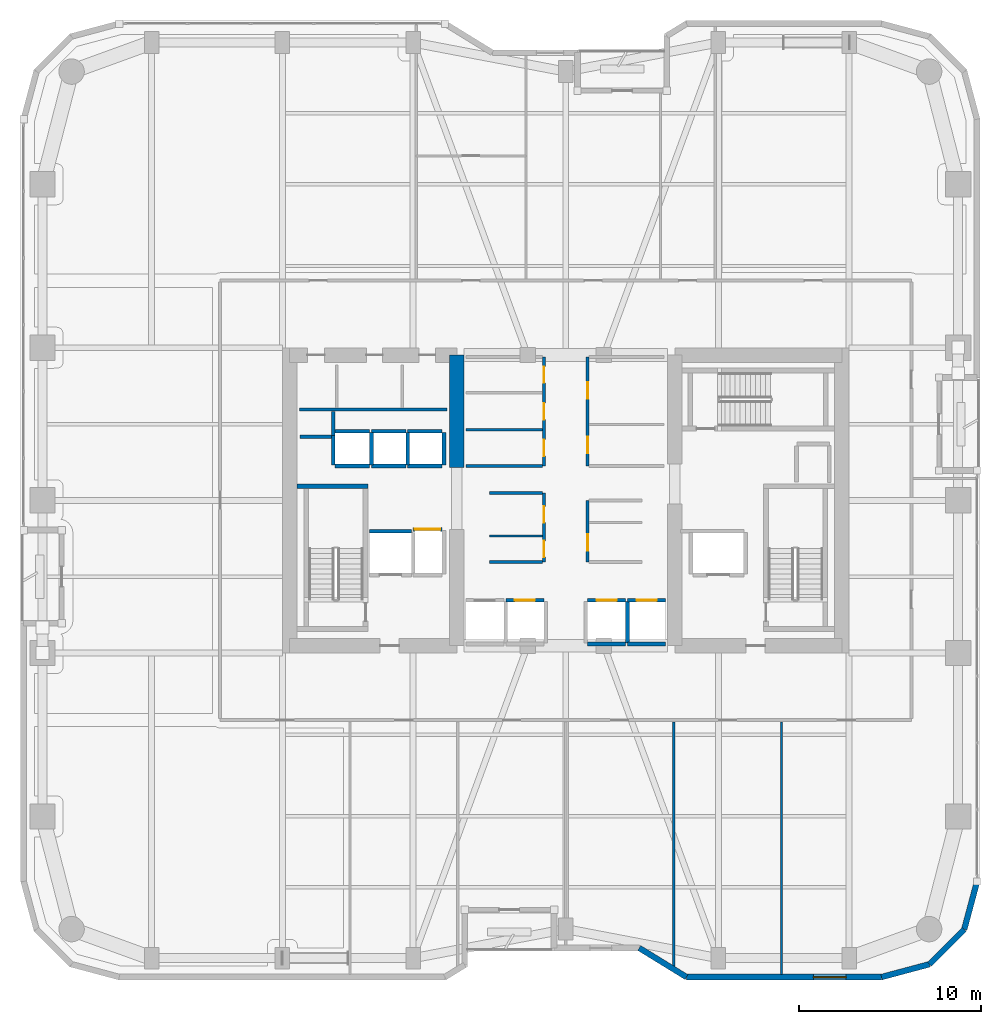
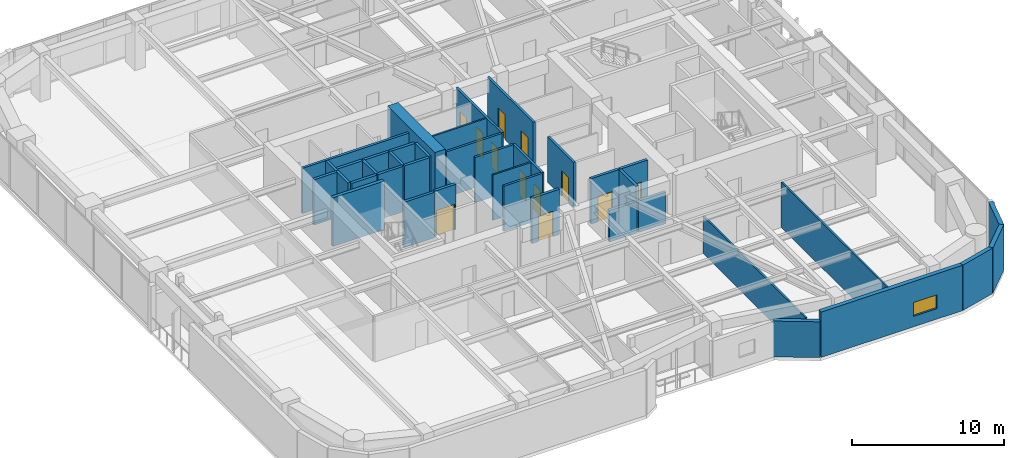
# One storey, part 19 of 24: 39 walls, 12 doors, 1 window, 13 openings.
"""IFC4 building model written with IfcOpenShell, lengths in metres."""

from ifc_helpers import new_model, si_unit, direction, frame, frame_2d, origin, place, context, subcontext, project, spatial, rectangle, extrude, material, layer, layer_set, type_object, element, fill, save


model = new_model("IFC4")

# Units and contexts
model_context = context("Model", 3, precision=1e-05, world=origin(), true_north=direction((0.0, 1.0)))
body_context = subcontext(model_context, "Body", "Model", "MODEL_VIEW")
ifc_project = project(units=[si_unit("LENGTHUNIT", "METRE"), si_unit("AREAUNIT", "SQUARE_METRE"), si_unit("VOLUMEUNIT", "CUBIC_METRE"), si_unit("PLANEANGLEUNIT", "RADIAN"), si_unit("MASSUNIT", "GRAM", prefix="KILO")], contexts=[model_context])

# Site, building, storey
site_placement = place(None, origin())
site = spatial("IfcSite", under=ifc_project, at=site_placement, CompositionType="ELEMENT")
building_placement = place(site_placement, origin())
building = spatial("IfcBuilding", under=site, at=building_placement, Name="Kiyonajd Concourse Tower", CompositionType="ELEMENT")
storey_placement = place(building_placement, frame((0.0, 0.0, 105.300048828125)))
storey = spatial("IfcBuildingStorey", under=building, at=storey_placement, Name="L27", CompositionType="ELEMENT", Elevation=105.300048828125)

# Walls
ifc_material_1 = material(Name="Concrete C70/85", Category="concrete")
ifc_layer_1 = layer(ifc_material_1, 0.800048828125)
ifc_layer_set_1 = layer_set([ifc_layer_1], Name="Concrete C70/85")
wall_type_1 = type_object("IfcWallType", Name="WL-CORE-800", PredefinedType="SHEAR", material=ifc_layer_set_1)
wall_1_placement = place(storey_placement, frame((42.0, 37.800048828125, 0.0), z_axis=(0.0, 0.0, 1.0), x_axis=(0.0, 1.0, 0.0)))
element("IfcWall", 1, at=wall_1_placement, inside=storey, type_object=wall_type_1, Name="L27 West Core Inner North Shear Wall", PredefinedType="SHEAR", context=body_context, shape_type="SweptSolid", body=[
    extrude(rectangle(XDim=6.199951171875, YDim=0.800048828125, at=frame_2d((3.10009765625, 0.0))), origin(), (0.0, 0.0, 1.0), 3.89990234375),
])
ifc_material_2 = material(Name="Precast concrete C50/60", Category="concrete")
ifc_layer_2 = layer(ifc_material_2, 0.320068359375)
ifc_layer_set_2 = layer_set([ifc_layer_2], Name="Precast concrete C50/60")
wall_type_2 = type_object("IfcWallType", Name="WL-EXT-320", PredefinedType="SOLIDWALL", material=ifc_layer_set_2)
wall_2_placement = place(storey_placement, frame((70.639892578125, 15.02099609375, 0.0), z_axis=(0.0, 0.0, 1.0), x_axis=(-0.258613949072, -0.965980758269, 0.0)))
element("IfcWall", 2, at=wall_2_placement, inside=storey, type_object=wall_type_2, Name="L27 Exterior Concrete Frame Wall 25", PredefinedType="SOLIDWALL", context=body_context, shape_type="SweptSolid", body=[
    extrude(rectangle(XDim=2.731201171875, YDim=0.320068359375, at=frame_2d((1.36572265625, 0.0))), origin(), (0.0, 0.0, 1.0), 3.639892578125),
])
wall_3_placement = place(storey_placement, frame((69.93359375, 12.3828125, 0.0), z_axis=(0.0, 0.0, 1.0), x_axis=(-0.707151821269, -0.707061738235, 0.0)))
element("IfcWall", 3, at=wall_3_placement, inside=storey, type_object=wall_type_2, Name="L27 Exterior Concrete Frame Wall 26", PredefinedType="SOLIDWALL", context=body_context, shape_type="SweptSolid", body=[
    extrude(rectangle(XDim=2.710205078125, YDim=0.320068359375, at=frame_2d((1.35498046875, 0.0))), origin(), (0.0, 0.0, 1.0), 3.639892578125),
])
wall_4_placement = place(storey_placement, frame((68.01708984375, 10.466552734375, 0.0), z_axis=(0.0, 0.0, 1.0), x_axis=(-0.965958423373, -0.25869736047, 0.0)))
element("IfcWall", 4, at=wall_4_placement, inside=storey, type_object=wall_type_2, Name="L27 Exterior Concrete Frame Wall 27", PredefinedType="SOLIDWALL", context=body_context, shape_type="SweptSolid", body=[
    extrude(rectangle(XDim=2.731201171875, YDim=0.320068359375, at=frame_2d((1.36572265625, 0.0))), origin(), (0.0, 0.0, 1.0), 3.639892578125),
])

# Wall, opening, window
wall_5_placement = place(storey_placement, frame((65.37890625, 9.760009765625, 0.0), z_axis=(0.0, 0.0, 1.0), x_axis=(-1.0, 0.0, 0.0)))
wall_5 = element("IfcWall", 5, at=wall_5_placement, inside=storey, type_object=wall_type_2, Name="L27 Exterior Concrete Frame Wall 28", PredefinedType="SOLIDWALL", context=body_context, shape_type="SweptSolid", body=[
    extrude(rectangle(XDim=10.733642578125, YDim=0.320068359375, at=frame_2d((5.36669921875, 0.0))), origin(), (0.0, 0.0, 1.0), 3.639892578125),
])
opening_1_placement = place(wall_5_placement, frame((1.944091796875, 0.0, 0.85009765625)))
opening_1 = element("IfcOpeningElement", 6, at=opening_1_placement, cuts=wall_5, Name="Opening WN1", PredefinedType="OPENING", context=body_context, shape_type="SweptSolid", body=[
    extrude(rectangle(XDim=1.800048828125, YDim=1.10009765625, at=frame_2d((0.89990234375, 0.550048828125))), frame((0.0, 0.169921875, 0.0), z_axis=(0.0, -1.0, 0.0), x_axis=(1.0, 0.0, 0.0)), (0.0, 0.0, 1.0), 0.340087890625),
])
ifc_material_3 = material(Name="Double Low-E Insulated Glass", Category="glass")
window_type = type_object("IfcWindowType", Name="WN-VIS-1800x1100", PartitioningType="SINGLE_PANEL", PredefinedType="WINDOW", material=ifc_material_3)
window_placement = place(opening_1_placement, origin())
window = element("IfcWindow", 7, at=window_placement, inside=storey, type_object=window_type, Name="L27 Modular Facade Vision Window 28", OverallHeight=1.10009765625, OverallWidth=1.800048828125, PartitioningType="SINGLE_PANEL", PredefinedType="WINDOW", context=body_context, shape_type="SweptSolid", body=[
    extrude(rectangle(XDim=1.800048828125, YDim=1.10009765625, at=frame_2d((0.89990234375, 0.550048828125))), frame((0.0, 0.030029296875, 0.0), z_axis=(0.0, -1.0, 0.0), x_axis=(1.0, 0.0, 0.0)), (0.0, 0.0, 1.0), 0.06005859375),
])
fill(opening_1, window)

# Walls
wall_6_placement = place(storey_placement, frame((54.645263671875, 9.760009765625, 0.0), z_axis=(0.0, 0.0, 1.0), x_axis=(-0.851630857047, 0.524142044989, 0.0)))
element("IfcWall", 8, at=wall_6_placement, inside=storey, type_object=wall_type_2, Name="L27 Exterior Concrete Frame Wall 29", PredefinedType="SOLIDWALL", context=body_context, shape_type="SweptSolid", body=[
    extrude(rectangle(XDim=3.052734375, YDim=0.320068359375, at=frame_2d((1.5263671875, 0.0))), origin(), (0.0, 0.0, 1.0), 2.875),
])
ifc_material_4 = material(Name="Gypsum Board on Cold-Formed Steel Stud", Category="steel")
ifc_layer_3 = layer(ifc_material_4, 0.125)
ifc_layer_set_3 = layer_set([ifc_layer_3], Name="Gypsum Board on Cold-Formed Steel Stud")
wall_type_3 = type_object("IfcWallType", Name="WL-PART-125", PredefinedType="PARTITIONING", material=ifc_layer_set_3)
wall_7_placement = place(storey_placement, frame((43.800048828125, 34.0439453125, 0.0), z_axis=(0.0, 0.0, 1.0), x_axis=(1.0, 0.0, 0.0)))
element("IfcWall", 9, at=wall_7_placement, inside=storey, type_object=wall_type_3, Name="L27 Interior Partition Wall", PredefinedType="PARTITIONING", context=body_context, shape_type="SweptSolid", body=[
    extrude(rectangle(XDim=2.912841796875, YDim=0.125, at=frame_2d((1.45654296875, 0.0))), origin(), (0.0, 0.0, 1.0), 3.639892578125),
])
wall_8_placement = place(storey_placement, frame((42.5, 39.8798828125, 0.0), z_axis=(0.0, 0.0, 1.0), x_axis=(1.0, 0.0, 0.0)))
element("IfcWall", 10, at=wall_8_placement, inside=storey, type_object=wall_type_3, Name="L27 Interior Partition Wall", PredefinedType="PARTITIONING", context=body_context, shape_type="SweptSolid", body=[
    extrude(rectangle(XDim=4.212890625, YDim=0.125, at=frame_2d((2.1064453125, 0.0))), origin(), (0.0, 0.0, 1.0), 3.639892578125),
])
wall_9_placement = place(storey_placement, frame((53.93994140625, 10.34912109375, 0.0), z_axis=(0.0, 0.0, 1.0), x_axis=(0.0, 1.0, 0.0)))
element("IfcWall", 11, at=wall_9_placement, inside=storey, type_object=wall_type_3, Name="L27 Interior Partition Wall", PredefinedType="PARTITIONING", context=body_context, shape_type="SweptSolid", body=[
    extrude(rectangle(XDim=13.4638671875, YDim=0.125, at=frame_2d((6.73193359375, 0.0))), origin(), (0.0, 0.0, 1.0), 3.0029296875),
])
wall_10_placement = place(storey_placement, frame((59.8798828125, 9.9150390625, 0.0), z_axis=(0.0, 0.0, 1.0), x_axis=(0.0, 1.0, 0.0)))
element("IfcWall", 12, at=wall_10_placement, inside=storey, type_object=wall_type_3, Name="L27 Interior Partition Wall", PredefinedType="PARTITIONING", context=body_context, shape_type="SweptSolid", body=[
    extrude(rectangle(XDim=13.89794921875, YDim=0.125, at=frame_2d((6.948974609375, 0.0))), origin(), (0.0, 0.0, 1.0), 3.639892578125),
])
ifc_layer_4 = layer(ifc_material_4, 0.18994140625)
ifc_layer_set_4 = layer_set([ifc_layer_4], Name="Gypsum Board on Cold-Formed Steel Stud")
wall_type_4 = type_object("IfcWallType", Name="WL-PLMB-190", PredefinedType="PLUMBINGWALL", material=ifc_layer_set_4)
wall_11_placement = place(storey_placement, frame((33.35009765625, 41.0, 0.0), z_axis=(0.0, 0.0, 1.0), x_axis=(1.0, 0.0, 0.0)))
element("IfcWall", 13, at=wall_11_placement, inside=storey, type_object=wall_type_4, Name="L27 Interior Partition Wall", PredefinedType="PLUMBINGWALL", context=body_context, shape_type="SweptSolid", body=[
    extrude(rectangle(XDim=8.099853515625, YDim=0.18994140625, at=frame_2d((4.0498046875, 0.0))), origin(), (0.0, 0.0, 1.0), 3.639892578125),
])
ifc_layer_5 = layer(ifc_material_4, 0.2099609375)
ifc_layer_set_5 = layer_set([ifc_layer_5], Name="Gypsum Board on Cold-Formed Steel Stud")
wall_type_5 = type_object("IfcWallType", Name="WL-SHAFT-210", PredefinedType="PARTITIONING", material=ifc_layer_set_5)
wall_12_placement = place(storey_placement, frame((33.360107421875, 39.5, 0.0), z_axis=(0.0, 0.0, 1.0), x_axis=(1.0, 0.0, 0.0)))
element("IfcWall", 14, at=wall_12_placement, inside=storey, type_object=wall_type_5, Name="L27 Shaft Enclosure Wall", PredefinedType="PARTITIONING", context=body_context, shape_type="SweptSolid", body=[
    extrude(rectangle(XDim=1.85986328125, YDim=0.2099609375, at=frame_2d((0.929931640625, 0.0))), origin(), (0.0, 0.0, 1.0), 3.639892578125),
])
wall_13_placement = place(storey_placement, frame((35.199951171875, 39.580078125, 0.0), z_axis=(0.0, 0.0, 1.0), x_axis=(0.0, 1.0, 0.0)))
element("IfcWall", 15, at=wall_13_placement, inside=storey, type_object=wall_type_5, Name="L27 Shaft Enclosure Wall", PredefinedType="PARTITIONING", context=body_context, shape_type="SweptSolid", body=[
    extrude(rectangle(XDim=1.31982421875, YDim=0.2099609375, at=frame_2d((0.659912109375, 0.0))), origin(), (0.0, 0.0, 1.0), 3.639892578125),
])
wall_14_placement = place(storey_placement, frame((37.199951171875, 34.300048828125, 0.0), z_axis=(0.0, 0.0, 1.0), x_axis=(1.0, 0.0, 0.0)))
element("IfcWall", 16, at=wall_14_placement, inside=storey, type_object=wall_type_5, Name="L27 Shaft Enclosure Wall", PredefinedType="PARTITIONING", context=body_context, shape_type="SweptSolid", body=[
    extrude(rectangle(XDim=2.300048828125, YDim=0.2099609375, at=frame_2d((1.14990234375, 0.0))), origin(), (0.0, 0.0, 1.0), 3.639892578125),
])

# Wall, opening, door
wall_15_placement = place(storey_placement, frame((39.60009765625, 34.39990234375, 0.0), z_axis=(0.0, 0.0, 1.0), x_axis=(1.0, 0.0, 0.0)))
wall_15 = element("IfcWall", 17, at=wall_15_placement, inside=storey, type_object=wall_type_5, Name="L27 Shaft Enclosure Wall", PredefinedType="PARTITIONING", context=body_context, shape_type="SweptSolid", body=[
    extrude(rectangle(XDim=1.599853515625, YDim=0.2099609375, at=frame_2d((0.7998046875, 0.0))), origin(), (0.0, 0.0, 1.0), 3.639892578125),
])
opening_2_placement = place(wall_15_placement, frame((0.10009765625, 0.0, 0.0)))
opening_2 = element("IfcOpeningElement", 18, at=opening_2_placement, cuts=wall_15, Name="Opening LD3", PredefinedType="OPENING", context=body_context, shape_type="SweptSolid", body=[
    extrude(rectangle(XDim=1.39990234375, YDim=2.06005859375, at=frame_2d((0.699951171875, 1.030029296875))), frame((0.0, 0.114990234375, 0.0), z_axis=(0.0, -1.0, 0.0), x_axis=(1.0, 0.0, 0.0)), (0.0, 0.0, 1.0), 0.22998046875),
])
ifc_material_5 = material(Name="Brushed Stainless Steel Cab Assembly", Category="steel")
door_type_1 = type_object("IfcDoorType", Name="DR-LD-1400", OperationType="DOUBLE_DOOR_SLIDING", PredefinedType="DOOR", material=ifc_material_5)
door_1_placement = place(opening_2_placement, origin())
door_1 = element("IfcDoor", 19, at=door_1_placement, inside=storey, type_object=door_type_1, Name="L27 Lift SVL1 Sliding Landing Door", OperationType="DOUBLE_DOOR_SLIDING", OverallHeight=2.06005859375, OverallWidth=1.39990234375, PredefinedType="DOOR", context=body_context, shape_type="SweptSolid", body=[
    extrude(rectangle(XDim=1.39990234375, YDim=2.06005859375, at=frame_2d((0.699951171875, 1.030029296875))), frame((0.0, 0.02490234375, 0.0), z_axis=(0.0, -1.0, 0.0), x_axis=(1.0, 0.0, 0.0)), (0.0, 0.0, 1.0), 0.050048828125),
])
fill(opening_2, door_1)

wall_16_placement = place(storey_placement, frame((44.699951171875, 30.5, 0.0), z_axis=(0.0, 0.0, 1.0), x_axis=(1.0, 0.0, 0.0)))
wall_16 = element("IfcWall", 20, at=wall_16_placement, inside=storey, type_object=wall_type_5, Name="L27 Shaft Enclosure Wall", PredefinedType="PARTITIONING", context=body_context, shape_type="SweptSolid", body=[
    extrude(rectangle(XDim=2.10009765625, YDim=0.2099609375, at=frame_2d((1.050048828125, 0.0))), origin(), (0.0, 0.0, 1.0), 3.639892578125),
])
opening_3_placement = place(wall_16_placement, frame((0.5, 0.0, 0.0)))
opening_3 = element("IfcOpeningElement", 21, at=opening_3_placement, cuts=wall_16, Name="Opening LD1", PredefinedType="OPENING", context=body_context, shape_type="SweptSolid", body=[
    extrude(rectangle(XDim=1.10009765625, YDim=2.0400390625, at=frame_2d((0.550048828125, 1.02001953125))), frame((0.0, 0.114990234375, 0.0), z_axis=(0.0, -1.0, 0.0), x_axis=(1.0, 0.0, 0.0)), (0.0, 0.0, 1.0), 0.22998046875),
])
door_type_2 = type_object("IfcDoorType", Name="DR-LD-1100", OperationType="DOUBLE_DOOR_SLIDING", PredefinedType="DOOR", material=ifc_material_5)
door_2_placement = place(opening_3_placement, origin())
door_2 = element("IfcDoor", 22, at=door_2_placement, inside=storey, type_object=door_type_2, Name="L27 Lift PL-L2 Sliding Landing Door", OperationType="DOUBLE_DOOR_SLIDING", OverallHeight=2.0400390625, OverallWidth=1.10009765625, PredefinedType="DOOR", context=body_context, shape_type="SweptSolid", body=[
    extrude(rectangle(XDim=1.10009765625, YDim=2.0400390625, at=frame_2d((0.550048828125, 1.02001953125))), frame((0.0, 0.02490234375, 0.0), z_axis=(0.0, -1.0, 0.0), x_axis=(1.0, 0.0, 0.0)), (0.0, 0.0, 1.0), 0.050048828125),
])
fill(opening_3, door_2)

wall_17_placement = place(storey_placement, frame((49.199951171875, 30.5, 0.0), z_axis=(0.0, 0.0, 1.0), x_axis=(1.0, 0.0, 0.0)))
wall_17 = element("IfcWall", 23, at=wall_17_placement, inside=storey, type_object=wall_type_5, Name="L27 Shaft Enclosure Wall", PredefinedType="PARTITIONING", context=body_context, shape_type="SweptSolid", body=[
    extrude(rectangle(XDim=2.10009765625, YDim=0.2099609375, at=frame_2d((1.050048828125, 0.0))), origin(), (0.0, 0.0, 1.0), 3.639892578125),
])
opening_4_placement = place(wall_17_placement, frame((0.5, 0.0, 0.0)))
opening_4 = element("IfcOpeningElement", 24, at=opening_4_placement, cuts=wall_17, Name="Opening LD1", PredefinedType="OPENING", context=body_context, shape_type="SweptSolid", body=[
    extrude(rectangle(XDim=1.10009765625, YDim=2.0400390625, at=frame_2d((0.550048828125, 1.02001953125))), frame((0.0, 0.114990234375, 0.0), z_axis=(0.0, -1.0, 0.0), x_axis=(1.0, 0.0, 0.0)), (0.0, 0.0, 1.0), 0.22998046875),
])
door_3_placement = place(opening_4_placement, origin())
door_3 = element("IfcDoor", 25, at=door_3_placement, inside=storey, type_object=door_type_2, Name="L27 Lift PL-L3 Sliding Landing Door", OperationType="DOUBLE_DOOR_SLIDING", OverallHeight=2.0400390625, OverallWidth=1.10009765625, PredefinedType="DOOR", context=body_context, shape_type="SweptSolid", body=[
    extrude(rectangle(XDim=1.10009765625, YDim=2.0400390625, at=frame_2d((0.550048828125, 1.02001953125))), frame((0.0, 0.02490234375, 0.0), z_axis=(0.0, -1.0, 0.0), x_axis=(1.0, 0.0, 0.0)), (0.0, 0.0, 1.0), 0.050048828125),
])
fill(opening_4, door_3)

# Walls
wall_18_placement = place(storey_placement, frame((49.199951171875, 28.10009765625, 0.0), z_axis=(0.0, 0.0, 1.0), x_axis=(1.0, 0.0, 0.0)))
element("IfcWall", 26, at=wall_18_placement, inside=storey, type_object=wall_type_5, Name="L27 Shaft Enclosure Wall", PredefinedType="PARTITIONING", context=body_context, shape_type="SweptSolid", body=[
    extrude(rectangle(XDim=2.10009765625, YDim=0.2099609375, at=frame_2d((1.050048828125, 0.0))), origin(), (0.0, 0.0, 1.0), 2.52490234375),
])
wall_19_placement = place(storey_placement, frame((51.39990234375, 28.159912109375, 0.0), z_axis=(0.0, 0.0, 1.0), x_axis=(0.0, 1.0, 0.0)))
element("IfcWall", 27, at=wall_19_placement, inside=storey, type_object=wall_type_5, Name="L27 Shaft Enclosure Wall", PredefinedType="PARTITIONING", context=body_context, shape_type="SweptSolid", body=[
    extrude(rectangle(XDim=2.280029296875, YDim=0.2099609375, at=frame_2d((1.14013671875, 0.0))), origin(), (0.0, 0.0, 1.0), 3.639892578125),
])

# Wall, opening, door
wall_20_placement = place(storey_placement, frame((51.39990234375, 30.5, 0.0), z_axis=(0.0, 0.0, 1.0), x_axis=(1.0, 0.0, 0.0)))
wall_20 = element("IfcWall", 28, at=wall_20_placement, inside=storey, type_object=wall_type_5, Name="L27 Shaft Enclosure Wall", PredefinedType="PARTITIONING", context=body_context, shape_type="SweptSolid", body=[
    extrude(rectangle(XDim=2.10009765625, YDim=0.2099609375, at=frame_2d((1.050048828125, 0.0))), origin(), (0.0, 0.0, 1.0), 3.639892578125),
])
opening_5_placement = place(wall_20_placement, frame((0.5, 0.0, 0.0)))
opening_5 = element("IfcOpeningElement", 29, at=opening_5_placement, cuts=wall_20, Name="Opening LD1", PredefinedType="OPENING", context=body_context, shape_type="SweptSolid", body=[
    extrude(rectangle(XDim=1.10009765625, YDim=2.0400390625, at=frame_2d((0.550048828125, 1.02001953125))), frame((0.0, 0.114990234375, 0.0), z_axis=(0.0, -1.0, 0.0), x_axis=(1.0, 0.0, 0.0)), (0.0, 0.0, 1.0), 0.22998046875),
])
door_4_placement = place(opening_5_placement, origin())
door_4 = element("IfcDoor", 30, at=door_4_placement, inside=storey, type_object=door_type_2, Name="L27 Lift PL-L4 Sliding Landing Door", OperationType="DOUBLE_DOOR_SLIDING", OverallHeight=2.0400390625, OverallWidth=1.10009765625, PredefinedType="DOOR", context=body_context, shape_type="SweptSolid", body=[
    extrude(rectangle(XDim=1.10009765625, YDim=2.0400390625, at=frame_2d((0.550048828125, 1.02001953125))), frame((0.0, 0.02490234375, 0.0), z_axis=(0.0, -1.0, 0.0), x_axis=(1.0, 0.0, 0.0)), (0.0, 0.0, 1.0), 0.050048828125),
])
fill(opening_5, door_4)

# Walls
wall_21_placement = place(storey_placement, frame((51.39990234375, 28.10009765625, 0.0), z_axis=(0.0, 0.0, 1.0), x_axis=(1.0, 0.0, 0.0)))
element("IfcWall", 31, at=wall_21_placement, inside=storey, type_object=wall_type_5, Name="L27 Shaft Enclosure Wall", PredefinedType="PARTITIONING", context=body_context, shape_type="SweptSolid", body=[
    extrude(rectangle(XDim=2.10009765625, YDim=0.2099609375, at=frame_2d((1.050048828125, 0.0))), origin(), (0.0, 0.0, 1.0), 2.52490234375),
])
for number, where, z_axis, x_axis, name in (
    (32, (35.300048828125, 37.89990234375, 0.0), (0.0, 0.0, 1.0), (1.0, 0.0, 0.0), "L27 Shaft Enclosure Wall"),
    (33, (35.300048828125, 39.800048828125, 0.0), (0.0, 0.0, 1.0), (1.0, 0.0, 0.0), "L27 Shaft Enclosure Wall"),
):
    element("IfcWall", number, at=place(storey_placement, frame(where, z_axis=z_axis, x_axis=x_axis)), inside=storey, type_object=wall_type_5, Name=name, PredefinedType="PARTITIONING", context=body_context, shape_type="SweptSolid", body=[
        extrude(rectangle(XDim=1.89990234375, YDim=0.2099609375, at=frame_2d((0.949951171875, 0.0))), origin(), (0.0, 0.0, 1.0), 3.639892578125),
    ])
wall_22_placement = place(storey_placement, frame((35.199951171875, 37.9599609375, 0.0), z_axis=(0.0, 0.0, 1.0), x_axis=(0.0, 1.0, 0.0)))
element("IfcWall", 34, at=wall_22_placement, inside=storey, type_object=wall_type_5, Name="L27 Shaft Enclosure Wall", PredefinedType="PARTITIONING", context=body_context, shape_type="SweptSolid", body=[
    extrude(rectangle(XDim=1.6201171875, YDim=0.2099609375, at=frame_2d((0.81005859375, 0.0))), origin(), (0.0, 0.0, 1.0), 3.639892578125),
])
wall_23_placement = place(storey_placement, frame((37.300048828125, 37.9599609375, 0.0), z_axis=(0.0, 0.0, 1.0), x_axis=(0.0, 1.0, 0.0)))
element("IfcWall", 35, at=wall_23_placement, inside=storey, type_object=wall_type_5, Name="L27 Shaft Enclosure Wall", PredefinedType="PARTITIONING", context=body_context, shape_type="SweptSolid", body=[
    extrude(rectangle(XDim=1.780029296875, YDim=0.2099609375, at=frame_2d((0.89013671875, 0.0))), origin(), (0.0, 0.0, 1.0), 3.639892578125),
])
for number, where, z_axis, x_axis, name in (
    (36, (37.300048828125, 37.89990234375, 0.0), (0.0, 0.0, 1.0), (1.0, 0.0, 0.0), "L27 Shaft Enclosure Wall"),
    (37, (37.300048828125, 39.800048828125, 0.0), (0.0, 0.0, 1.0), (1.0, 0.0, 0.0), "L27 Shaft Enclosure Wall"),
):
    element("IfcWall", number, at=place(storey_placement, frame(where, z_axis=z_axis, x_axis=x_axis)), inside=storey, type_object=wall_type_5, Name=name, PredefinedType="PARTITIONING", context=body_context, shape_type="SweptSolid", body=[
        extrude(rectangle(XDim=1.89990234375, YDim=0.2099609375, at=frame_2d((0.949951171875, 0.0))), origin(), (0.0, 0.0, 1.0), 3.639892578125),
    ])
wall_24_placement = place(storey_placement, frame((39.300048828125, 37.9599609375, 0.0), z_axis=(0.0, 0.0, 1.0), x_axis=(0.0, 1.0, 0.0)))
element("IfcWall", 38, at=wall_24_placement, inside=storey, type_object=wall_type_5, Name="L27 Shaft Enclosure Wall", PredefinedType="PARTITIONING", context=body_context, shape_type="SweptSolid", body=[
    extrude(rectangle(XDim=1.780029296875, YDim=0.2099609375, at=frame_2d((0.89013671875, 0.0))), origin(), (0.0, 0.0, 1.0), 3.639892578125),
])
for number, where, z_axis, x_axis, name in (
    (39, (39.300048828125, 37.89990234375, 0.0), (0.0, 0.0, 1.0), (1.0, 0.0, 0.0), "L27 Shaft Enclosure Wall"),
    (40, (39.300048828125, 39.800048828125, 0.0), (0.0, 0.0, 1.0), (1.0, 0.0, 0.0), "L27 Shaft Enclosure Wall"),
):
    element("IfcWall", number, at=place(storey_placement, frame(where, z_axis=z_axis, x_axis=x_axis)), inside=storey, type_object=wall_type_5, Name=name, PredefinedType="PARTITIONING", context=body_context, shape_type="SweptSolid", body=[
        extrude(rectangle(XDim=1.89990234375, YDim=0.2099609375, at=frame_2d((0.949951171875, 0.0))), origin(), (0.0, 0.0, 1.0), 3.639892578125),
    ])
wall_25_placement = place(storey_placement, frame((41.300048828125, 37.9599609375, 0.0), z_axis=(0.0, 0.0, 1.0), x_axis=(0.0, 1.0, 0.0)))
element("IfcWall", 41, at=wall_25_placement, inside=storey, type_object=wall_type_5, Name="L27 Shaft Enclosure Wall", PredefinedType="PARTITIONING", context=body_context, shape_type="SweptSolid", body=[
    extrude(rectangle(XDim=1.780029296875, YDim=0.2099609375, at=frame_2d((0.89013671875, 0.0))), origin(), (0.0, 0.0, 1.0), 3.639892578125),
])

# Wall, openings, doors
ifc_layer_6 = layer(ifc_material_4, 0.169921875)
ifc_layer_set_6 = layer_set([ifc_layer_6], Name="Gypsum Board on Cold-Formed Steel Stud")
wall_type_6 = type_object("IfcWallType", Name="WL-SMK-170", PredefinedType="PARTITIONING", material=ifc_layer_set_6)
wall_26_placement = place(storey_placement, frame((46.800048828125, 32.60009765625, 0.0), z_axis=(0.0, 0.0, 1.0), x_axis=(0.0, 1.0, 0.0)))
wall_26 = element("IfcWall", 42, at=wall_26_placement, inside=storey, type_object=wall_type_6, Name="L27 Interior Partition Wall", PredefinedType="PARTITIONING", context=body_context, shape_type="SweptSolid", body=[
    extrude(rectangle(XDim=3.7998046875, YDim=0.169921875, at=frame_2d((1.89990234375, 0.0))), origin(), (0.0, 0.0, 1.0), 3.639892578125),
])
opening_6_placement = place(wall_26_placement, frame((0.27197265625, 0.0, 0.0)))
opening_6 = element("IfcOpeningElement", 43, at=opening_6_placement, cuts=wall_26, Name="Opening DI2", PredefinedType="OPENING", context=body_context, shape_type="SweptSolid", body=[
    extrude(rectangle(XDim=0.89990234375, YDim=2.02001953125, at=frame_2d((0.449951171875, 1.010009765625))), frame((0.0, 0.094970703125, 0.0), z_axis=(0.0, -1.0, 0.0), x_axis=(1.0, 0.0, 0.0)), (0.0, 0.0, 1.0), 0.18994140625),
])
opening_7_placement = place(wall_26_placement, frame((2.172119140625, 0.0, 0.0)))
opening_7 = element("IfcOpeningElement", 44, at=opening_7_placement, cuts=wall_26, Name="Opening DI2", PredefinedType="OPENING", context=body_context, shape_type="SweptSolid", body=[
    extrude(rectangle(XDim=0.89990234375, YDim=2.02001953125, at=frame_2d((0.449951171875, 1.010009765625))), frame((0.0, 0.094970703125, 0.0), z_axis=(0.0, -1.0, 0.0), x_axis=(1.0, 0.0, 0.0)), (0.0, 0.0, 1.0), 0.18994140625),
])
ifc_material_6 = material(Name="Natural Oak Acoustic Timber Veneer", Category="wood")
door_type_3 = type_object("IfcDoorType", Name="DR-INT-900", OperationType="NOTDEFINED", PredefinedType="DOOR", material=ifc_material_6)
door_5_placement = place(opening_6_placement, origin())
door_5 = element("IfcDoor", 45, at=door_5_placement, inside=storey, type_object=door_type_3, Name="L27 Interior Door", OperationType="SINGLE_SWING_RIGHT", OverallHeight=2.02001953125, OverallWidth=0.89990234375, PredefinedType="DOOR", context=body_context, shape_type="SweptSolid", body=[
    extrude(rectangle(XDim=0.89990234375, YDim=2.02001953125, at=frame_2d((0.449951171875, 1.010009765625))), frame((0.0, 0.02490234375, 0.0), z_axis=(0.0, -1.0, 0.0), x_axis=(1.0, 0.0, 0.0)), (0.0, 0.0, 1.0), 0.050048828125),
])
fill(opening_6, door_5)
door_6_placement = place(opening_7_placement, origin())
door_6 = element("IfcDoor", 46, at=door_6_placement, inside=storey, type_object=door_type_3, Name="L27 Interior Door", OperationType="SINGLE_SWING_LEFT", OverallHeight=2.02001953125, OverallWidth=0.89990234375, PredefinedType="DOOR", context=body_context, shape_type="SweptSolid", body=[
    extrude(rectangle(XDim=0.89990234375, YDim=2.02001953125, at=frame_2d((0.449951171875, 1.010009765625))), frame((0.0, 0.02490234375, 0.0), z_axis=(0.0, -1.0, 0.0), x_axis=(1.0, 0.0, 0.0)), (0.0, 0.0, 1.0), 0.050048828125),
])
fill(opening_7, door_6)

# Walls
for number, where, z_axis, x_axis, name in (
    (47, (43.800048828125, 32.60009765625, 0.0), (0.0, 0.0, 1.0), (1.0, 0.0, 0.0), "L27 Interior Partition Wall"),
    (48, (43.800048828125, 36.39990234375, 0.0), (0.0, 0.0, 1.0), (1.0, 0.0, 0.0), "L27 Interior Partition Wall"),
):
    element("IfcWall", number, at=place(storey_placement, frame(where, z_axis=z_axis, x_axis=x_axis)), inside=storey, type_object=wall_type_6, Name=name, PredefinedType="PARTITIONING", context=body_context, shape_type="SweptSolid", body=[
        extrude(rectangle(XDim=2.912841796875, YDim=0.169921875, at=frame_2d((1.45654296875, 0.0))), origin(), (0.0, 0.0, 1.0), 3.639892578125),
    ])

# Wall, opening, door
wall_27_placement = place(storey_placement, frame((49.199951171875, 32.60009765625, 0.0), z_axis=(0.0, 0.0, 1.0), x_axis=(0.0, 1.0, 0.0)))
wall_27 = element("IfcWall", 49, at=wall_27_placement, inside=storey, type_object=wall_type_6, Name="L27 Interior Partition Wall", PredefinedType="PARTITIONING", context=body_context, shape_type="SweptSolid", body=[
    extrude(rectangle(XDim=3.39990234375, YDim=0.169921875, at=frame_2d((1.699951171875, 0.0))), origin(), (0.0, 0.0, 1.0), 3.639892578125),
])
opening_8_placement = place(wall_27_placement, frame((0.637939453125, 0.0, 0.0)))
opening_8 = element("IfcOpeningElement", 50, at=opening_8_placement, cuts=wall_27, Name="Opening DF4", PredefinedType="OPENING", context=body_context, shape_type="SweptSolid", body=[
    extrude(rectangle(XDim=0.89990234375, YDim=2.02001953125, at=frame_2d((0.449951171875, 1.010009765625))), frame((0.0, 0.094970703125, 0.0), z_axis=(0.0, -1.0, 0.0), x_axis=(1.0, 0.0, 0.0)), (0.0, 0.0, 1.0), 0.18994140625),
])
door_type_4 = type_object("IfcDoorType", Name="DR-FD60-900", OperationType="NOTDEFINED", PredefinedType="DOOR", material=ifc_material_5)
door_7_placement = place(opening_8_placement, origin())
door_7 = element("IfcDoor", 51, at=door_7_placement, inside=storey, type_object=door_type_4, Name="L27 Interior Door", OperationType="SINGLE_SWING_RIGHT", OverallHeight=2.02001953125, OverallWidth=0.89990234375, PredefinedType="DOOR", context=body_context, shape_type="SweptSolid", body=[
    extrude(rectangle(XDim=0.89990234375, YDim=2.02001953125, at=frame_2d((0.449951171875, 1.010009765625))), frame((0.0, 0.02490234375, 0.0), z_axis=(0.0, -1.0, 0.0), x_axis=(1.0, 0.0, 0.0)), (0.0, 0.0, 1.0), 0.050048828125),
])
fill(opening_8, door_7)

# Wall, openings, doors
wall_28_placement = place(storey_placement, frame((46.800048828125, 37.89990234375, 0.0), z_axis=(0.0, 0.0, 1.0), x_axis=(0.0, 1.0, 0.0)))
wall_28 = element("IfcWall", 52, at=wall_28_placement, inside=storey, type_object=wall_type_6, Name="L27 Interior Partition Wall", PredefinedType="PARTITIONING", context=body_context, shape_type="SweptSolid", body=[
    extrude(rectangle(XDim=6.0, YDim=0.169921875, at=frame_2d((3.0, 0.0))), origin(), (0.0, 0.0, 1.0), 3.639892578125),
])
opening_9_placement = place(wall_28_placement, frame((0.5400390625, 0.0, 0.0)))
opening_9 = element("IfcOpeningElement", 53, at=opening_9_placement, cuts=wall_28, Name="Opening DI2", PredefinedType="OPENING", context=body_context, shape_type="SweptSolid", body=[
    extrude(rectangle(XDim=0.89990234375, YDim=2.02001953125, at=frame_2d((0.449951171875, 1.010009765625))), frame((0.0, 0.094970703125, 0.0), z_axis=(0.0, -1.0, 0.0), x_axis=(1.0, 0.0, 0.0)), (0.0, 0.0, 1.0), 0.18994140625),
])
opening_10_placement = place(wall_28_placement, frame((2.550048828125, 0.0, 0.0)))
opening_10 = element("IfcOpeningElement", 54, at=opening_10_placement, cuts=wall_28, Name="Opening DI2", PredefinedType="OPENING", context=body_context, shape_type="SweptSolid", body=[
    extrude(rectangle(XDim=0.89990234375, YDim=2.02001953125, at=frame_2d((0.449951171875, 1.010009765625))), frame((0.0, 0.094970703125, 0.0), z_axis=(0.0, -1.0, 0.0), x_axis=(1.0, 0.0, 0.0)), (0.0, 0.0, 1.0), 0.18994140625),
])
opening_11_placement = place(wall_28_placement, frame((4.56005859375, 0.0, 0.0)))
opening_11 = element("IfcOpeningElement", 55, at=opening_11_placement, cuts=wall_28, Name="Opening DI2", PredefinedType="OPENING", context=body_context, shape_type="SweptSolid", body=[
    extrude(rectangle(XDim=0.89990234375, YDim=2.02001953125, at=frame_2d((0.449951171875, 1.010009765625))), frame((0.0, 0.094970703125, 0.0), z_axis=(0.0, -1.0, 0.0), x_axis=(1.0, 0.0, 0.0)), (0.0, 0.0, 1.0), 0.18994140625),
])
door_8_placement = place(opening_9_placement, origin())
door_8 = element("IfcDoor", 56, at=door_8_placement, inside=storey, type_object=door_type_3, Name="L27 Interior Door", OperationType="SINGLE_SWING_LEFT", OverallHeight=2.02001953125, OverallWidth=0.89990234375, PredefinedType="DOOR", context=body_context, shape_type="SweptSolid", body=[
    extrude(rectangle(XDim=0.89990234375, YDim=2.02001953125, at=frame_2d((0.449951171875, 1.010009765625))), frame((0.0, 0.02490234375, 0.0), z_axis=(0.0, -1.0, 0.0), x_axis=(1.0, 0.0, 0.0)), (0.0, 0.0, 1.0), 0.050048828125),
])
fill(opening_9, door_8)
door_9_placement = place(opening_10_placement, origin())
door_9 = element("IfcDoor", 57, at=door_9_placement, inside=storey, type_object=door_type_3, Name="L27 Interior Door", OperationType="SINGLE_SWING_RIGHT", OverallHeight=2.02001953125, OverallWidth=0.89990234375, PredefinedType="DOOR", context=body_context, shape_type="SweptSolid", body=[
    extrude(rectangle(XDim=0.89990234375, YDim=2.02001953125, at=frame_2d((0.449951171875, 1.010009765625))), frame((0.0, 0.02490234375, 0.0), z_axis=(0.0, -1.0, 0.0), x_axis=(1.0, 0.0, 0.0)), (0.0, 0.0, 1.0), 0.050048828125),
])
fill(opening_10, door_9)
door_10_placement = place(opening_11_placement, origin())
door_10 = element("IfcDoor", 58, at=door_10_placement, inside=storey, type_object=door_type_3, Name="L27 Interior Door", OperationType="SINGLE_SWING_LEFT", OverallHeight=2.02001953125, OverallWidth=0.89990234375, PredefinedType="DOOR", context=body_context, shape_type="SweptSolid", body=[
    extrude(rectangle(XDim=0.89990234375, YDim=2.02001953125, at=frame_2d((0.449951171875, 1.010009765625))), frame((0.0, 0.02490234375, 0.0), z_axis=(0.0, -1.0, 0.0), x_axis=(1.0, 0.0, 0.0)), (0.0, 0.0, 1.0), 0.050048828125),
])
fill(opening_11, door_10)

# Wall
wall_29_placement = place(storey_placement, frame((42.5, 37.89990234375, 0.0), z_axis=(0.0, 0.0, 1.0), x_axis=(1.0, 0.0, 0.0)))
element("IfcWall", 59, at=wall_29_placement, inside=storey, type_object=wall_type_6, Name="L27 Interior Partition Wall", PredefinedType="PARTITIONING", context=body_context, shape_type="SweptSolid", body=[
    extrude(rectangle(XDim=4.212890625, YDim=0.169921875, at=frame_2d((2.1064453125, 0.0))), origin(), (0.0, 0.0, 1.0), 3.639892578125),
])

# Wall, openings, doors
wall_30_placement = place(storey_placement, frame((49.199951171875, 37.89990234375, 0.0), z_axis=(0.0, 0.0, 1.0), x_axis=(0.0, 1.0, 0.0)))
wall_30 = element("IfcWall", 60, at=wall_30_placement, inside=storey, type_object=wall_type_6, Name="L27 Interior Partition Wall", PredefinedType="PARTITIONING", context=body_context, shape_type="SweptSolid", body=[
    extrude(rectangle(XDim=6.0, YDim=0.169921875, at=frame_2d((3.0, 0.0))), origin(), (0.0, 0.0, 1.0), 3.639892578125),
])
opening_12_placement = place(wall_30_placement, frame((0.68994140625, 0.0, 0.0)))
opening_12 = element("IfcOpeningElement", 61, at=opening_12_placement, cuts=wall_30, Name="Opening DI2", PredefinedType="OPENING", context=body_context, shape_type="SweptSolid", body=[
    extrude(rectangle(XDim=0.89990234375, YDim=2.02001953125, at=frame_2d((0.449951171875, 1.010009765625))), frame((0.0, 0.094970703125, 0.0), z_axis=(0.0, -1.0, 0.0), x_axis=(1.0, 0.0, 0.0)), (0.0, 0.0, 1.0), 0.18994140625),
])
opening_13_placement = place(wall_30_placement, frame((3.68994140625, 0.0, 0.0)))
opening_13 = element("IfcOpeningElement", 62, at=opening_13_placement, cuts=wall_30, Name="Opening DI2", PredefinedType="OPENING", context=body_context, shape_type="SweptSolid", body=[
    extrude(rectangle(XDim=0.89990234375, YDim=2.02001953125, at=frame_2d((0.449951171875, 1.010009765625))), frame((0.0, 0.094970703125, 0.0), z_axis=(0.0, -1.0, 0.0), x_axis=(1.0, 0.0, 0.0)), (0.0, 0.0, 1.0), 0.18994140625),
])
door_11_placement = place(opening_12_placement, origin())
door_11 = element("IfcDoor", 63, at=door_11_placement, inside=storey, type_object=door_type_3, Name="L27 Interior Door", OperationType="SINGLE_SWING_RIGHT", OverallHeight=2.02001953125, OverallWidth=0.89990234375, PredefinedType="DOOR", context=body_context, shape_type="SweptSolid", body=[
    extrude(rectangle(XDim=0.89990234375, YDim=2.02001953125, at=frame_2d((0.449951171875, 1.010009765625))), frame((0.0, 0.02490234375, 0.0), z_axis=(0.0, -1.0, 0.0), x_axis=(1.0, 0.0, 0.0)), (0.0, 0.0, 1.0), 0.050048828125),
])
fill(opening_12, door_11)
door_12_placement = place(opening_13_placement, origin())
door_12 = element("IfcDoor", 64, at=door_12_placement, inside=storey, type_object=door_type_3, Name="L27 Interior Door", OperationType="SINGLE_SWING_LEFT", OverallHeight=2.02001953125, OverallWidth=0.89990234375, PredefinedType="DOOR", context=body_context, shape_type="SweptSolid", body=[
    extrude(rectangle(XDim=0.89990234375, YDim=2.02001953125, at=frame_2d((0.449951171875, 1.010009765625))), frame((0.0, 0.02490234375, 0.0), z_axis=(0.0, -1.0, 0.0), x_axis=(1.0, 0.0, 0.0)), (0.0, 0.0, 1.0), 0.050048828125),
])
fill(opening_13, door_12)

# Wall
ifc_material_7 = material(Name="Concrete C50/60", Category="concrete")
ifc_layer_7 = layer(ifc_material_7, 0.260009765625)
ifc_layer_set_7 = layer_set([ifc_layer_7], Name="Concrete C50/60")
wall_type_7 = type_object("IfcWallType", Name="WL-STAIR-260", PredefinedType="SHEAR", material=ifc_layer_set_7)
wall_31_placement = place(storey_placement, frame((33.199951171875, 36.780029296875, 0.0), z_axis=(0.0, 0.0, 1.0), x_axis=(1.0, 0.0, 0.0)))
element("IfcWall", 65, at=wall_31_placement, inside=storey, type_object=wall_type_7, Name="L27 Stair ST1 Structural North Wall", PredefinedType="SHEAR", context=body_context, shape_type="SweptSolid", body=[
    extrude(rectangle(XDim=3.91015625, YDim=0.260009765625, at=frame_2d((1.955078125, 0.0))), origin(), (0.0, 0.0, 1.0), 3.89990234375),
])

save(model, "model.ifc")
